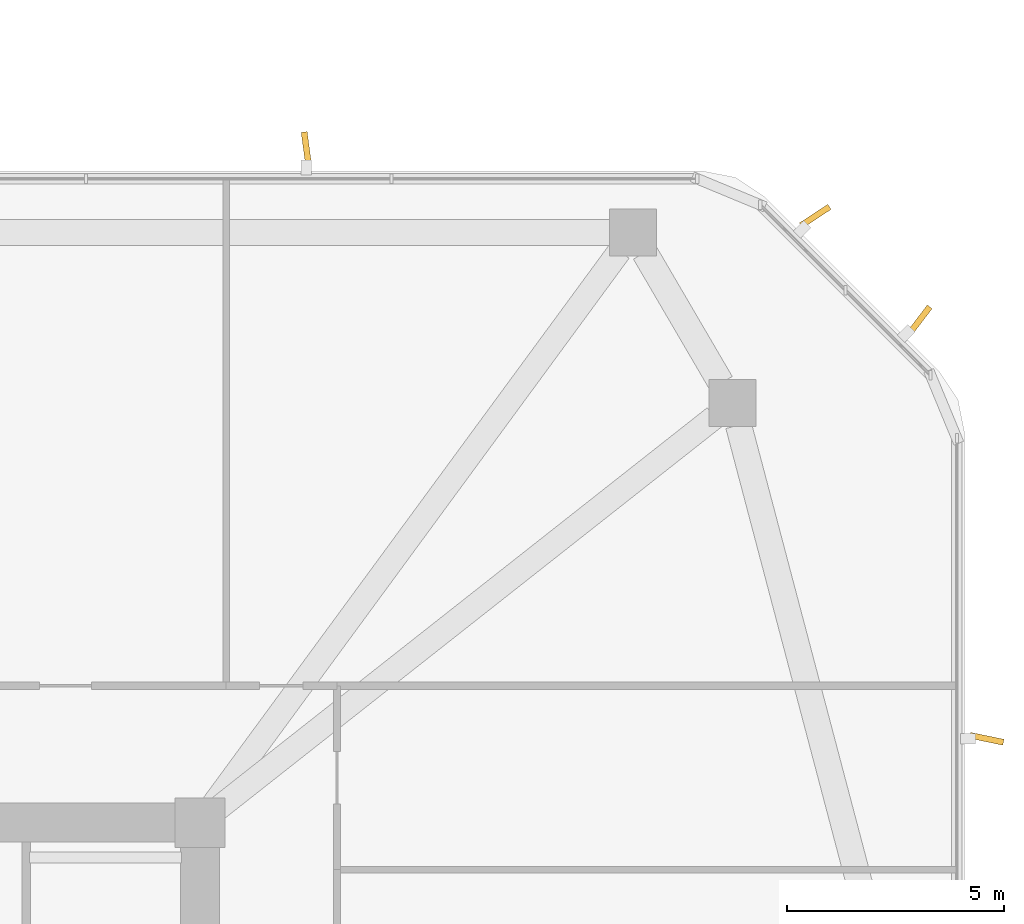
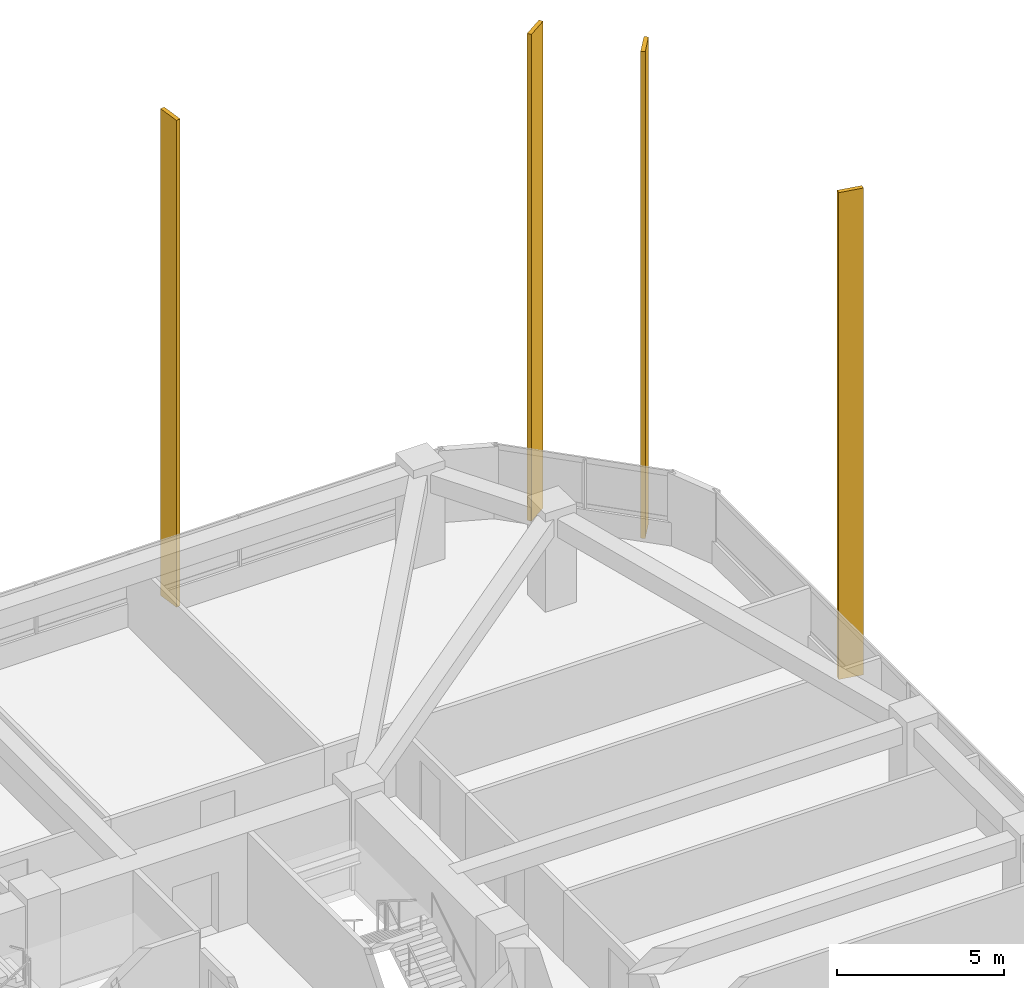
# One storey, part 17 of 17: 4 shading devices.
"""IFC4 building model written with IfcOpenShell, lengths in metres."""

import ifcopenshell
import ifcopenshell.guid

model = None  # the IFC model being written
_history = None  # IfcOwnerHistory: only IFC2X3 demands one
_inside = {}  # id of a spatial element -> (the spatial element, [elements in it])
_under = {}  # id of a project, library or spatial element -> (it, [spatial elements below it])
_declared = {}  # id of a project -> (the project, [libraries it declares])
_typed = {}  # id of a type object -> (the type object, [elements of that type])
_made_of = {}  # id of a material, layer set ... -> (it, [elements and type objects made of it])


def new_model(schema):
    """Start an empty IFC model of exactly this schema.

    Asked for "IFC4X3", IfcOpenShell would pick the latest addendum, in which some entities
    have other attributes; the version numbers below select the first issue.
    IFC2X3 requires an IfcOwnerHistory on every rooted entity: one is made here for all.
    """
    global model, _history
    if schema == "IFC4X3":
        model = ifcopenshell.file(schema_version=(4, 3, 0, 0))
    else:
        model = ifcopenshell.file(schema=schema)
    _inside.clear()
    _under.clear()
    _declared.clear()
    _typed.clear()
    _made_of.clear()
    _history = None
    if model.schema == "IFC2X3":
        org = make("IfcOrganization", Name="unknown")
        user = make(
            "IfcPersonAndOrganization",
            ThePerson=make("IfcPerson", FamilyName="unknown"),
            TheOrganization=org,
        )
        app = make(
            "IfcApplication",
            ApplicationDeveloper=org,
            Version="unknown",
            ApplicationFullName="unknown",
            ApplicationIdentifier="unknown",
        )
        _history = make(
            "IfcOwnerHistory",
            OwningUser=user,
            OwningApplication=app,
            ChangeAction="ADDED",
            CreationDate=0,
        )
    return model


def make(cls, **values):
    """One entity of the class cls with the attributes given. An attribute that is None is left unset."""
    return model.create_entity(
        cls, **{name: value for name, value in values.items() if value is not None}
    )


def rooted(cls, **values):
    """An entity with a GlobalId (a new one), such as an element, a storey or a relation."""
    return make(cls, GlobalId=ifcopenshell.guid.new(), OwnerHistory=_history, **values)


def si_unit(unit_type, name, prefix=None):
    """IfcSIUnit, for example si_unit("LENGTHUNIT", "METRE", prefix="MILLI")."""
    return make("IfcSIUnit", UnitType=unit_type, Prefix=prefix, Name=name)


def derived_unit(unit_type, elements):
    """IfcDerivedUnit: a product of units, each with its exponent."""
    return make(
        "IfcDerivedUnit",
        Elements=[
            make("IfcDerivedUnitElement", Unit=unit, Exponent=power)
            for unit, power in elements
        ],
        UnitType=unit_type,
    )


def assignment(units):
    """IfcUnitAssignment: the units of a project."""
    return None if units is None else make("IfcUnitAssignment", Units=units)


def point(xyz):
    """IfcCartesianPoint."""
    return None if xyz is None else make("IfcCartesianPoint", Coordinates=xyz)


def direction(xyz):
    """IfcDirection."""
    return None if xyz is None else make("IfcDirection", DirectionRatios=xyz)


def frame(location, z_axis=None, x_axis=None):
    """IfcAxis2Placement3D, a coordinate frame: its origin and axes. An axis left out is left unset."""
    return make(
        "IfcAxis2Placement3D",
        Location=point(location),
        Axis=direction(z_axis),
        RefDirection=direction(x_axis),
    )


def frame_2d(location, x_axis=None):
    """IfcAxis2Placement2D, a coordinate frame in the plane: its origin and x axis."""
    return make(
        "IfcAxis2Placement2D", Location=point(location), RefDirection=direction(x_axis)
    )


def origin():
    """The frame at (0, 0, 0) with its axes left unset."""
    return frame((0.0, 0.0, 0.0))


def origin_2d():
    """The frame at (0, 0) in the plane with its x axis left unset."""
    return frame_2d((0.0, 0.0))


def place(relative_to, where):
    """IfcLocalPlacement: puts the frame where relative to a parent placement (None: the world)."""
    return make(
        "IfcLocalPlacement", PlacementRelTo=relative_to, RelativePlacement=where
    )


def context(
    kind, dimensions, precision=None, world=None, true_north=None, identifier=None
):
    """IfcGeometricRepresentationContext, for example the 3D "Model" context."""
    return make(
        "IfcGeometricRepresentationContext",
        ContextIdentifier=identifier,
        ContextType=kind,
        CoordinateSpaceDimension=dimensions,
        Precision=precision,
        WorldCoordinateSystem=world,
        TrueNorth=true_north,
    )


def subcontext(parent, identifier, kind, view, scale=None):
    """IfcGeometricRepresentationSubContext, for example "Body" below "Model"."""
    return make(
        "IfcGeometricRepresentationSubContext",
        ContextIdentifier=identifier,
        ContextType=kind,
        ParentContext=parent,
        TargetScale=scale,
        TargetView=view,
    )


def project(units=None, contexts=None):
    """IfcProject with its units and contexts."""
    return rooted(
        "IfcProject",
        Name="project",
        RepresentationContexts=contexts,
        UnitsInContext=assignment(units),
    )


def spatial(cls, under=None, at=None, **own):
    """A site, building, storey or space (cls), placed at a placement, below another one or the project."""
    s = rooted(cls, ObjectPlacement=at, **own)
    if under is not None:
        _under.setdefault(under.id(), (under, []))[1].append(s)
    return s


def profile(cls, at=None, kind="AREA", **sizes):
    """A parametric profile (cls). Its sizes go by their IFC names, for example OverallWidth=200.0."""
    return make(cls, ProfileType=kind, Position=at, **sizes)


def rectangle(**sizes):
    """IfcRectangleProfileDef."""
    return profile("IfcRectangleProfileDef", **sizes)


def extrude(swept, where, along, depth):
    """IfcExtrudedAreaSolid: the profile swept, set in the frame where, extruded along a direction by depth."""
    return make(
        "IfcExtrudedAreaSolid",
        SweptArea=swept,
        Position=where,
        ExtrudedDirection=direction(along),
        Depth=depth,
    )


def shape(context_of_items, identifier, shape_type, items):
    """IfcShapeRepresentation: the items that make up one representation, for example the "Body"."""
    return make(
        "IfcShapeRepresentation",
        ContextOfItems=context_of_items,
        RepresentationIdentifier=identifier,
        RepresentationType=shape_type,
        Items=items,
    )


def material(Name=None, Category=None):
    """IfcMaterial."""
    return make("IfcMaterial", Name=Name, Category=Category)


def made_of(thing, what):
    """Note that an element or type object is made of a material, layer set ...; save() writes the relation."""
    if what is not None:
        _made_of.setdefault(what.id(), (what, []))[1].append(thing)
    return thing


def type_object(cls, material=None, **own):
    """A type object (cls), such as IfcWallType, which elements share."""
    return made_of(rooted(cls, **own), material)


def element(
    cls,
    number,
    at=None,
    inside=None,
    cuts=None,
    type_object=None,
    material=None,
    context=None,
    identifier="Body",
    shape_type=None,
    held_by="IfcProductDefinitionShape",
    body=None,
    shapes=None,
    **own,
):
    """One element of the class cls, such as IfcWall. Its Tag is "e" and its number.

    at: its placement. inside: the storey or other place that contains it. cuts: it is an
    opening in that element (IfcRelVoidsElement). A single representation is given by context,
    identifier, shape_type and body (its items); several are given by shapes. held_by: the class
    of the entity that holds the representations. save() writes the other relations.
    """
    e = rooted(cls, Tag="e%d" % number, ObjectPlacement=at, **own)
    if body is not None:
        shapes = [shape(context, identifier, shape_type, body)]
    if shapes is not None:
        e.Representation = make(held_by, Representations=shapes)
    if inside is not None:
        _inside.setdefault(inside.id(), (inside, []))[1].append(e)
    if cuts is not None:
        rooted(
            "IfcRelVoidsElement", RelatingBuildingElement=cuts, RelatedOpeningElement=e
        )
    if type_object is not None:
        _typed.setdefault(type_object.id(), (type_object, []))[1].append(e)
    return made_of(e, material)


def aggregate(whole, parts):
    """IfcRelAggregates: a whole, such as a stair, and the parts it consists of."""
    return rooted("IfcRelAggregates", RelatingObject=whole, RelatedObjects=parts)


def save(model, path):
    """Write the relations noted so far, then the file.

    IfcRelAggregates (storeys below a building ...), IfcRelContainedInSpatialStructure (elements
    in a storey), IfcRelDefinesByType, IfcRelAssociatesMaterial and IfcRelDeclares: one each for
    every whole, place, type object, material and project.
    """
    for whole, parts in _under.values():
        aggregate(whole, parts)
    for where, things in _inside.values():
        rooted(
            "IfcRelContainedInSpatialStructure",
            RelatedElements=things,
            RelatingStructure=where,
        )
    for kind, things in _typed.values():
        rooted("IfcRelDefinesByType", RelatedObjects=things, RelatingType=kind)
    for what, things in _made_of.values():
        rooted("IfcRelAssociatesMaterial", RelatedObjects=things, RelatingMaterial=what)
    for by, libraries in _declared.values():
        rooted("IfcRelDeclares", RelatingContext=by, RelatedDefinitions=libraries)
    model.write(path)


model = new_model("IFC4")

# Units and contexts
model_context = context("Model", 3, precision=1e-05, world=origin(), true_north=direction((0.0, 1.0)))
body_context = subcontext(model_context, "Body", "Model", "MODEL_VIEW")
ifc_project = project(units=[si_unit("LENGTHUNIT", "METRE"), si_unit("AREAUNIT", "SQUARE_METRE"), si_unit("VOLUMEUNIT", "CUBIC_METRE"), si_unit("PLANEANGLEUNIT", "RADIAN"), si_unit("MASSUNIT", "GRAM", prefix="KILO"), derived_unit("THERMALTRANSMITTANCEUNIT", [(si_unit("POWERUNIT", "WATT"), 1), (si_unit("LENGTHUNIT", "METRE"), -2), (si_unit("THERMODYNAMICTEMPERATUREUNIT", "KELVIN"), -1)])], contexts=[model_context])

# Site, building, storey
site_placement = place(None, origin())
site = spatial("IfcSite", under=ifc_project, at=site_placement, CompositionType="ELEMENT")
building_placement = place(site_placement, origin())
building = spatial("IfcBuilding", under=site, at=building_placement, Name="Koralith Skygarden Medical Center", CompositionType="ELEMENT")
storey_placement = place(building_placement, frame((0.0, 0.0, 67.139892578125)))
storey = spatial("IfcBuildingStorey", under=building, at=storey_placement, Name="L17", CompositionType="ELEMENT", Elevation=67.139892578125)

# Shading devices
ifc_material = material(Name="Aluminium 6063-T6", Category="aluminium")
shading_device_type = type_object("IfcShadingDeviceType", Name="Limestone-Clad Solar Storm Fin 780", PredefinedType="USERDEFINED", material=ifc_material)
for number, where, z_axis, x_axis, name in (
    (1, (66.31005859375, 36.429931640625, -0.199951171875), (0.0, 0.0, 1.0), (0.979335915684, -0.202240362568, 0.0), "L17 E Harmonic Solar Storm Fin 2"),
    (2, (64.760009765625, 46.06201171875, -0.199951171875), (0.0, 0.0, 1.0), (0.605613474948, 0.795758957826, 0.0), "L17 NE Harmonic Solar Storm Fin 1"),
    (3, (62.362060546875, 48.4599609375, -0.199951171875), (0.0, 0.0, 1.0), (0.835500598841, 0.549489535238, 0.0), "L17 NE Harmonic Solar Storm Fin 2"),
    (4, (50.64990234375, 50.010009765625, -0.199951171875), (0.0, 0.0, 1.0), (-0.134453160355, 0.990919950183, 0.0), "L17 N Harmonic Solar Storm Fin 1"),
):
    element("IfcShadingDevice", number, at=place(storey_placement, frame(where, z_axis=z_axis, x_axis=x_axis)), inside=storey, type_object=shading_device_type, Name=name, ObjectType="SOLAR FIN", PredefinedType="USERDEFINED", context=body_context, shape_type="SweptSolid", body=[
        extrude(rectangle(XDim=0.780029296875, YDim=0.139892578125, at=origin_2d()), origin(), (0.0, 0.0, 1.0), 17.7900390625),
    ])

save(model, "model.ifc")
